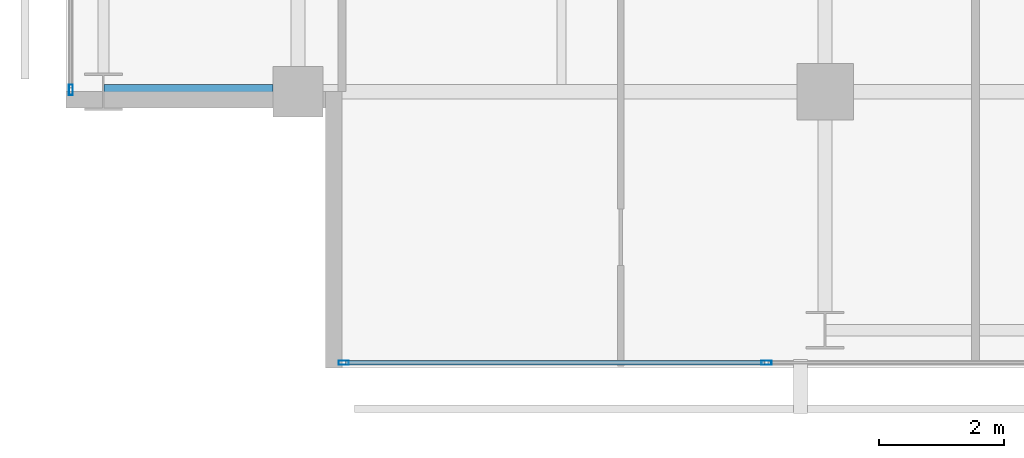
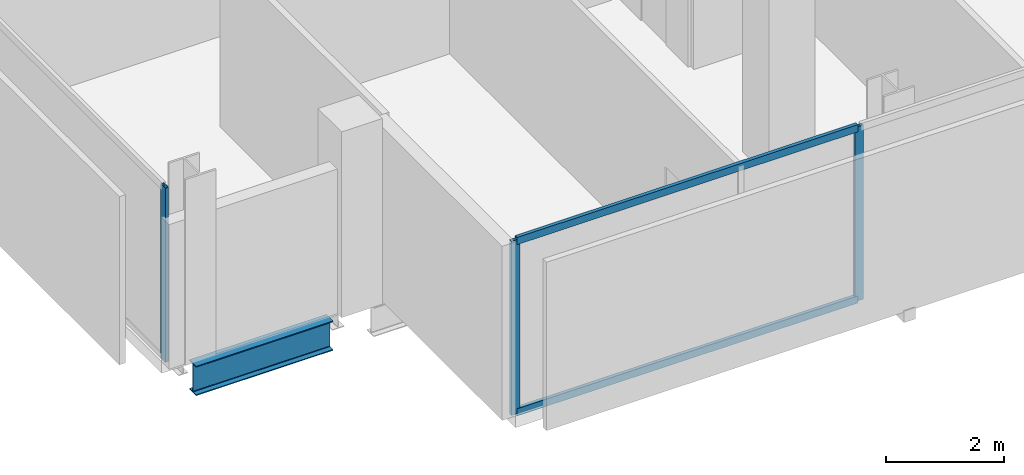
# One storey, part 2 of 34: 5 members, 1 beam, 2 elements without a shape of their own.
"""IFC4 building model written with IfcOpenShell, lengths in metres."""

from ifc_helpers import new_model, si_unit, direction, frame, origin, origin_2d, place, context, subcontext, project, spatial, hollow_rectangle, i_section, extrude, material, layer, layer_set, material_profile, profile_set, type_object, element, aggregate, save


model = new_model("IFC4")

# Units and contexts
model_context = context("Model", 3, precision=1e-05, world=origin(), true_north=direction((0.0, 1.0)))
body_context = subcontext(model_context, "Body", "Model", "MODEL_VIEW")
ifc_project = project(units=[si_unit("LENGTHUNIT", "METRE"), si_unit("AREAUNIT", "SQUARE_METRE"), si_unit("VOLUMEUNIT", "CUBIC_METRE"), si_unit("PLANEANGLEUNIT", "RADIAN"), si_unit("MASSUNIT", "GRAM", prefix="KILO")], contexts=[model_context])

# Site, building, storey
site_placement = place(None, origin())
site = spatial("IfcSite", under=ifc_project, at=site_placement, CompositionType="ELEMENT")
building_placement = place(site_placement, origin())
building = spatial("IfcBuilding", under=site, at=building_placement, Name="Maruvema Waterfront Hotel and Observation Tower", CompositionType="ELEMENT")
storey_placement = place(building_placement, frame((0.0, 0.0, 146.64990234375)))
storey = spatial("IfcBuildingStorey", under=building, at=storey_placement, Name="L35", CompositionType="ELEMENT", Elevation=146.64990234375)

# Curtain wall, members
ifc_material_1 = material(Name="Anodised bronze aluminium and solar-control low-E IGU", Category="aluminium")
ifc_layer = layer(ifc_material_1, 0.159912109375, Name="Zone 2 Amber Inner Thermal Curtain Wall System CW-03")
ifc_layer_set = layer_set([ifc_layer], Name="Anodised bronze aluminium and solar-control low-E IGU")
curtain_wall_type = type_object("IfcCurtainWallType", Name="Zone 2 Amber Inner Thermal Curtain Wall System CW-03", PredefinedType="USERDEFINED", material=ifc_layer_set)
curtain_wall_1_placement = place(storey_placement, origin())
curtain_wall_1 = element("IfcCurtainWall", 1, at=curtain_wall_1_placement, inside=storey, type_object=curtain_wall_type, Name="L35 Curtain Wall CW-L35-S", ObjectType="UNITISED CURTAIN WALL", PredefinedType="USERDEFINED")
ifc_material_2 = material(Name="Anodised architectural bronze aluminium", Category="aluminium")
ifc_material_profile_1 = material_profile(ifc_material_2, hollow_rectangle(XDim=0.070068359375, YDim=0.14990234375, WallThickness=0.00390625, at=origin_2d()), Name="ALU-T70x150")
ifc_profile_set_1 = profile_set([ifc_material_profile_1], Name="Anodised architectural bronze aluminium")
member_type_1 = type_object("IfcMemberType", Name="Curtain Wall Horizontal Transom ALU-T70x150", PredefinedType="USERDEFINED", material=ifc_profile_set_1)
member_1_placement = place(storey_placement, frame((17.56005859375, 4.679931640625, 0.030029296875), z_axis=(1.0, 0.0, 0.0), x_axis=(0.0, 1.0, 0.0)))
member_1 = element("IfcMember", 2, at=member_1_placement, type_object=member_type_1, Name="CW-03 transom 1.1", ObjectType="TRANSOM", PredefinedType="USERDEFINED", context=body_context, shape_type="SweptSolid", body=[
    extrude(hollow_rectangle(XDim=0.070068359375, YDim=0.14990234375, WallThickness=0.00390625, at=origin_2d()), origin(), (0.0, 0.0, 1.0), 6.676513671875),
])
member_2_placement = place(storey_placement, frame((17.56005859375, 4.679931640625, 3.580078125), z_axis=(1.0, 0.0, 0.0), x_axis=(0.0, 1.0, 0.0)))
member_2 = element("IfcMember", 3, at=member_2_placement, type_object=member_type_1, Name="CW-03 transom 1.2", ObjectType="TRANSOM", PredefinedType="USERDEFINED", context=body_context, shape_type="SweptSolid", body=[
    extrude(hollow_rectangle(XDim=0.070068359375, YDim=0.14990234375, WallThickness=0.00390625, at=origin_2d()), origin(), (0.0, 0.0, 1.0), 6.676513671875),
])
ifc_material_3 = material(Name="Anodised architectural bronze aluminium", Category="aluminium")
ifc_material_profile_2 = material_profile(ifc_material_3, hollow_rectangle(XDim=0.06494140625, YDim=0.1650390625, WallThickness=0.00390625, at=origin_2d()), Name="ALU-M65x165")
ifc_profile_set_2 = profile_set([ifc_material_profile_2], Name="Anodised architectural bronze aluminium")
member_type_2 = type_object("IfcMemberType", Name="Curtain Wall Primary Mullion ALU-M65x165", PredefinedType="MULLION", material=ifc_profile_set_2)
member_3_placement = place(storey_placement, frame((17.530029296875, 4.679931640625, 0.0), z_axis=(0.0, 0.0, 1.0), x_axis=(0.0, 1.0, 0.0)))
member_3 = element("IfcMember", 4, at=member_3_placement, type_object=member_type_2, Name="CW-03 mullion 1", PredefinedType="MULLION", context=body_context, shape_type="SweptSolid", body=[
    extrude(hollow_rectangle(XDim=0.06494140625, YDim=0.1650390625, WallThickness=0.00390625, at=origin_2d()), origin(), (0.0, 0.0, 1.0), 3.610107421875),
])
member_4_placement = place(storey_placement, frame((24.2666015625, 4.679931640625, 0.0), z_axis=(0.0, 0.0, 1.0), x_axis=(0.0, 1.0, 0.0)))
member_4 = element("IfcMember", 5, at=member_4_placement, type_object=member_type_2, Name="CW-03 mullion 2", PredefinedType="MULLION", context=body_context, shape_type="SweptSolid", body=[
    extrude(hollow_rectangle(XDim=0.06494140625, YDim=0.1650390625, WallThickness=0.00390625, at=origin_2d()), origin(), (0.0, 0.0, 1.0), 3.610107421875),
])
aggregate(curtain_wall_1, [member_3, member_4, member_1, member_2])

# Curtain wall, member
curtain_wall_2_placement = place(storey_placement, origin())
curtain_wall_2 = element("IfcCurtainWall", 6, at=curtain_wall_2_placement, inside=storey, type_object=curtain_wall_type, Name="L35 Curtain Wall CW-L35-W", ObjectType="UNITISED CURTAIN WALL", PredefinedType="USERDEFINED")
member_5_placement = place(storey_placement, frame((13.179931640625, 9.030029296875, 0.0), z_axis=(0.0, 0.0, 1.0), x_axis=(1.0, 0.0, 0.0)))
member_5 = element("IfcMember", 7, at=member_5_placement, type_object=member_type_2, Name="CW-03 mullion 7", PredefinedType="MULLION", context=body_context, shape_type="SweptSolid", body=[
    extrude(hollow_rectangle(XDim=0.06494140625, YDim=0.1650390625, WallThickness=0.00390625, at=origin_2d()), origin(), (0.0, 0.0, 1.0), 3.610107421875),
])
aggregate(curtain_wall_2, [member_5])

# Beam
ifc_material_4 = material(Name="Steel ASTM A572 Grade 50", Category="steel")
ifc_material_profile_3 = material_profile(ifc_material_4, i_section(OverallWidth=0.22900390625, OverallDepth=0.612060546875, WebThickness=0.011962890625, FlangeThickness=0.01953125, FilletRadius=0.01806640625, at=origin_2d()), Name="W610x125.0")
ifc_profile_set_3 = profile_set([ifc_material_profile_3], Name="Steel ASTM A572 Grade 50")
beam_type = type_object("IfcBeamType", Name="Primary Floor Girder W610x125.0", PredefinedType="BEAM", material=ifc_profile_set_3)
beam_placement = place(storey_placement, frame((13.71240234375, 9.0, -0.5458984375), z_axis=(1.0, 0.0, 0.0), x_axis=(0.0, 1.0, 0.0)))
element("IfcBeam", 8, at=beam_placement, inside=storey, type_object=beam_type, Name="L35 Floor Girder EW-04", PredefinedType="BEAM", context=body_context, shape_type="SweptSolid", body=[
    extrude(i_section(OverallWidth=0.22900390625, OverallDepth=0.612060546875, WebThickness=0.011962890625, FlangeThickness=0.01953125, FilletRadius=0.01806640625, at=origin_2d()), origin(), (0.0, 0.0, 1.0), 2.6875),
])

save(model, "model.ifc")
